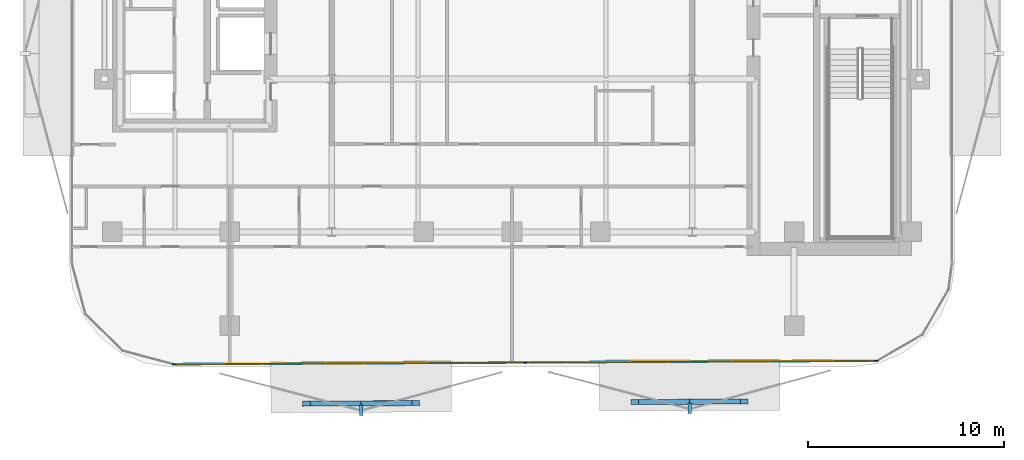
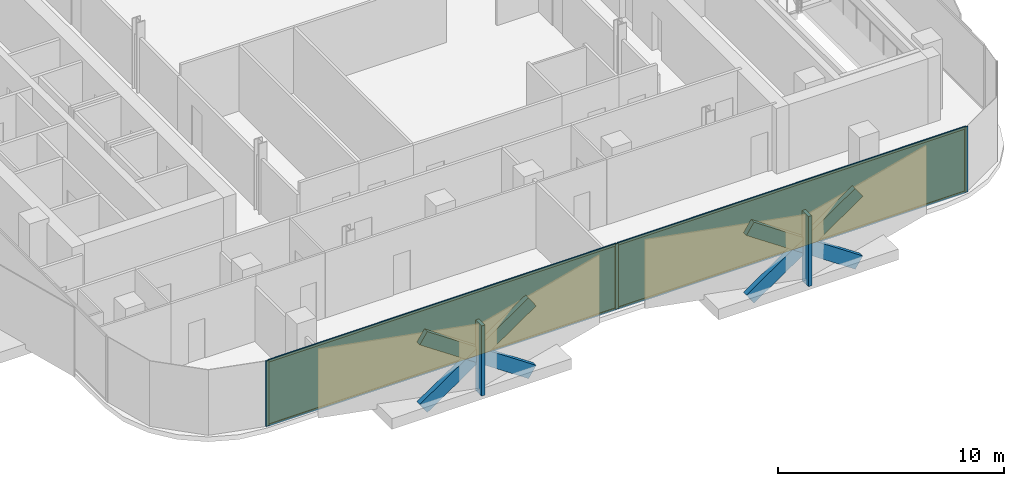
# One storey, part 9 of 17: 13 members, 2 plates, 1 curtain wall.
"""IFC4 building model written with IfcOpenShell, lengths in metres."""

from ifc_helpers import new_model, si_unit, direction, frame, frame_2d, origin, origin_2d, place, context, subcontext, project, spatial, rectangle, extrude, material, layer, layer_set, material_profile, profile_set, type_object, element, aggregate, save


model = new_model("IFC4")

# Units and contexts
model_context = context("Model", 3, precision=1e-05, world=origin(), true_north=direction((0.0, 1.0)))
body_context = subcontext(model_context, "Body", "Model", "MODEL_VIEW")
ifc_project = project(units=[si_unit("LENGTHUNIT", "METRE"), si_unit("AREAUNIT", "SQUARE_METRE"), si_unit("VOLUMEUNIT", "CUBIC_METRE"), si_unit("PLANEANGLEUNIT", "RADIAN"), si_unit("MASSUNIT", "GRAM", prefix="KILO")], contexts=[model_context])

# Member
ifc_material_1 = material(Name="Anodised Bronze Aluminium 6063-T6", Category="aluminium")
ifc_material_profile_1 = material_profile(ifc_material_1, rectangle(XDim=0.260009765625, YDim=0.699951171875, at=origin_2d()))
ifc_profile_set_1 = profile_set([ifc_material_profile_1], Name="Anodised Bronze Aluminium 6063-T6")
member_type_1 = type_object("IfcMemberType", Name="Bronze Diamond Solar-Screen Lattice Rib BDL-700", PredefinedType="MULLION", material=ifc_profile_set_1)
site_placement = place(None, origin())
building_placement = place(site_placement, origin())
storey_placement = place(building_placement, frame((0.0, 0.0, 165.0)))
member_1_placement = place(storey_placement, frame((11.857666015625, -27.25634765625, -0.1298828125), z_axis=(-0.826905498042, -0.004082681054, 0.562326087802), x_axis=(-0.007685180763, 0.999962303222, -0.004041055761)))
member_1 = element("IfcMember", 1, at=member_1_placement, type_object=member_type_1, Name="L37 Bronze Diamond Solar Screen Lattice Rib 233A", PredefinedType="MULLION", context=body_context, shape_type="SweptSolid", body=[
    extrude(rectangle(XDim=0.260009765625, YDim=0.699951171875, at=origin_2d()), origin(), (0.0, 0.0, 1.0), 6.75732421875),
])

member_2_placement = place(storey_placement, frame((6.27001953125, -27.283935546875, -0.1298828125), z_axis=(0.826905498042, 0.004082681054, 0.562326087802), x_axis=(0.007685180763, -0.999962303222, -0.004041055761)))
member_2 = element("IfcMember", 2, at=member_2_placement, type_object=member_type_1, Name="L37 Bronze Diamond Solar Screen Lattice Rib 233B", PredefinedType="MULLION", context=body_context, shape_type="SweptSolid", body=[
    extrude(rectangle(XDim=0.260009765625, YDim=0.699951171875, at=origin_2d()), origin(), (0.0, 0.0, 1.0), 6.75732421875),
])

member_3_placement = place(storey_placement, frame((-4.905517578125, -27.339111328125, -0.1298828125), z_axis=(-0.826905619477, -0.004046551727, 0.562326170382), x_axis=(-0.007641490936, 0.999962638045, -0.004041055487)))
member_3 = element("IfcMember", 3, at=member_3_placement, type_object=member_type_1, Name="L37 Bronze Diamond Solar Screen Lattice Rib 234A", PredefinedType="MULLION", context=body_context, shape_type="SweptSolid", body=[
    extrude(rectangle(XDim=0.260009765625, YDim=0.699951171875, at=origin_2d()), origin(), (0.0, 0.0, 1.0), 6.75732421875),
])

member_4_placement = place(storey_placement, frame((-10.4931640625, -27.366455078125, -0.1298828125), z_axis=(0.826905619477, 0.004046551727, 0.562326170382), x_axis=(0.007641490936, -0.999962638045, -0.004041055487)))
member_4 = element("IfcMember", 4, at=member_4_placement, type_object=member_type_1, Name="L37 Bronze Diamond Solar Screen Lattice Rib 234B", PredefinedType="MULLION", context=body_context, shape_type="SweptSolid", body=[
    extrude(rectangle(XDim=0.260009765625, YDim=0.699951171875, at=origin_2d()), origin(), (0.0, 0.0, 1.0), 6.75732421875),
])

ifc_material_2 = material(Name="Anodised Bronze Aluminium 6063-T6", Category="aluminium")
ifc_material_profile_2 = material_profile(ifc_material_2, rectangle(XDim=0.179931640625, YDim=0.5400390625, at=origin_2d()))
ifc_profile_set_2 = profile_set([ifc_material_profile_2], Name="Anodised Bronze Aluminium 6063-T6")
member_type_2 = type_object("IfcMemberType", Name="Bronze Solar-Screen Vertical Fold Fin BSF-540", PredefinedType="MULLION", material=ifc_profile_set_2)
member_5_placement = place(storey_placement, frame((9.0654296875, -27.610107421875, -0.1298828125), z_axis=(0.0, 0.0, 1.0), x_axis=(-0.999988059021, -0.004886902454, 0.0)))
member_5 = element("IfcMember", 5, at=member_5_placement, type_object=member_type_2, Name="L37 Bronze Solar Screen Vertical Fin 233", PredefinedType="MULLION", context=body_context, shape_type="SweptSolid", body=[
    extrude(rectangle(XDim=0.179931640625, YDim=0.5400390625, at=origin_2d()), origin(), (0.0, 0.0, 1.0), 3.7998046875),
])

member_6_placement = place(storey_placement, frame((-7.697509765625, -27.69287109375, -0.1298828125), z_axis=(0.0, 0.0, 1.0), x_axis=(-0.999988059021, -0.004886902454, 0.0)))
member_6 = element("IfcMember", 6, at=member_6_placement, type_object=member_type_2, Name="L37 Bronze Solar Screen Vertical Fin 234", PredefinedType="MULLION", context=body_context, shape_type="SweptSolid", body=[
    extrude(rectangle(XDim=0.179931640625, YDim=0.5400390625, at=origin_2d()), origin(), (0.0, 0.0, 1.0), 3.7998046875),
])

ifc_material_3 = material(Name="Anodised Bronze Aluminium 6063-T6", Category="aluminium")
ifc_material_profile_3 = material_profile(ifc_material_3, rectangle(XDim=0.06005859375, YDim=0.1650390625, at=origin_2d()))
ifc_profile_set_3 = profile_set([ifc_material_profile_3], Name="Anodised Bronze Aluminium 6063-T6")
member_type_3 = type_object("IfcMemberType", Name="CW-Z3 Mullion 60x165", PredefinedType="MULLION", material=ifc_profile_set_3)
member_7_placement = place(storey_placement, frame((18.605224609375, -25.18310546875, 0.0), z_axis=(0.0, 0.0, 1.0), x_axis=(0.004926734175, -0.999987863572, 0.0)))
member_7 = element("IfcMember", 7, at=member_7_placement, type_object=member_type_3, Name="CW-Z3 mullion 1", PredefinedType="MULLION", context=body_context, shape_type="SweptSolid", body=[
    extrude(rectangle(XDim=0.06005859375, YDim=0.1650390625, at=origin_2d()), origin(), (0.0, 0.0, 1.0), 3.5400390625),
])

member_8_placement = place(storey_placement, frame((0.672119140625, -25.271484375, 0.0), z_axis=(0.0, 0.0, 1.0), x_axis=(0.004926734175, -0.999987863572, 0.0)))
member_8 = element("IfcMember", 8, at=member_8_placement, type_object=member_type_3, Name="CW-Z3 mullion 2", PredefinedType="MULLION", context=body_context, shape_type="SweptSolid", body=[
    extrude(rectangle(XDim=0.06005859375, YDim=0.1650390625, at=origin_2d()), origin(), (0.0, 0.0, 1.0), 3.5400390625),
])

member_9_placement = place(storey_placement, frame((-17.2607421875, -25.35986328125, 0.0), z_axis=(0.0, 0.0, 1.0), x_axis=(0.004926734175, -0.999987863572, 0.0)))
member_9 = element("IfcMember", 9, at=member_9_placement, type_object=member_type_3, Name="CW-Z3 mullion 3", PredefinedType="MULLION", context=body_context, shape_type="SweptSolid", body=[
    extrude(rectangle(XDim=0.06005859375, YDim=0.1650390625, at=origin_2d()), origin(), (0.0, 0.0, 1.0), 3.5400390625),
])

ifc_material_4 = material(Name="Anodised Bronze Aluminium 6063-T6", Category="aluminium")
ifc_material_profile_4 = material_profile(ifc_material_4, rectangle(XDim=0.06005859375, YDim=0.1298828125, at=origin_2d()))
ifc_profile_set_4 = profile_set([ifc_material_profile_4], Name="Anodised Bronze Aluminium 6063-T6")
member_type_4 = type_object("IfcMemberType", Name="CW-Z3 Transom 60x130", PredefinedType="USERDEFINED", material=ifc_profile_set_4)
member_10_placement = place(storey_placement, frame((18.5751953125, -25.183349609375, 0.030029296875), z_axis=(-0.999987909339, -0.0049174359, 0.0), x_axis=(0.0049174359, -0.999987909339, 0.0)))
member_10 = element("IfcMember", 10, at=member_10_placement, type_object=member_type_4, Name="CW-Z3 transom 1.1", ObjectType="TRANSOM", PredefinedType="USERDEFINED", context=body_context, shape_type="SweptSolid", body=[
    extrude(rectangle(XDim=0.06005859375, YDim=0.1298828125, at=origin_2d()), origin(), (0.0, 0.0, 1.0), 17.873291015625),
])

member_11_placement = place(storey_placement, frame((18.5751953125, -25.183349609375, 3.510009765625), z_axis=(-0.999987909339, -0.0049174359, 0.0), x_axis=(0.0049174359, -0.999987909339, 0.0)))
member_11 = element("IfcMember", 11, at=member_11_placement, type_object=member_type_4, Name="CW-Z3 transom 1.2", ObjectType="TRANSOM", PredefinedType="USERDEFINED", context=body_context, shape_type="SweptSolid", body=[
    extrude(rectangle(XDim=0.06005859375, YDim=0.1298828125, at=origin_2d()), origin(), (0.0, 0.0, 1.0), 17.873291015625),
])

member_12_placement = place(storey_placement, frame((0.64208984375, -25.271728515625, 0.030029296875), z_axis=(-0.999987909009, -0.00491750307, 0.0), x_axis=(0.00491750307, -0.999987909009, 0.0)))
member_12 = element("IfcMember", 12, at=member_12_placement, type_object=member_type_4, Name="CW-Z3 transom 2.1", ObjectType="TRANSOM", PredefinedType="USERDEFINED", context=body_context, shape_type="SweptSolid", body=[
    extrude(rectangle(XDim=0.06005859375, YDim=0.1298828125, at=origin_2d()), origin(), (0.0, 0.0, 1.0), 17.873046875),
])

member_13_placement = place(storey_placement, frame((0.64208984375, -25.271728515625, 3.510009765625), z_axis=(-0.999987909009, -0.00491750307, 0.0), x_axis=(0.00491750307, -0.999987909009, 0.0)))
member_13 = element("IfcMember", 13, at=member_13_placement, type_object=member_type_4, Name="CW-Z3 transom 2.2", ObjectType="TRANSOM", PredefinedType="USERDEFINED", context=body_context, shape_type="SweptSolid", body=[
    extrude(rectangle(XDim=0.06005859375, YDim=0.1298828125, at=origin_2d()), origin(), (0.0, 0.0, 1.0), 17.873046875),
])

# Plate
ifc_material_5 = material(Name="Low-E Solar Control Laminated Glass", Category="glass")
ifc_layer_1 = layer(ifc_material_5, 0.030029296875, Name="Low-E Solar Control Laminated Glass")
ifc_layer_set_1 = layer_set([ifc_layer_1], Name="Low-E Solar Control Laminated Glass")
plate_type = type_object("IfcPlateType", Name="CW-Z3 Low-E Double Glazed Panel 30mm", PredefinedType="CURTAIN_PANEL", material=ifc_layer_set_1)
plate_1_placement = place(storey_placement, frame((9.638671875, -25.227294921875, 0.06005859375), z_axis=(0.0, 0.0, 1.0), x_axis=(-0.999987863572, -0.004926734175, 0.0)))
plate_1 = element("IfcPlate", 14, at=plate_1_placement, type_object=plate_type, Name="CW-Z3 panel 1.1", PredefinedType="CURTAIN_PANEL", context=body_context, shape_type="SweptSolid", body=[
    extrude(rectangle(XDim=17.873291015625, YDim=0.030029296875, at=origin_2d()), origin(), (0.0, 0.0, 1.0), 3.419921875),
])

plate_2_placement = place(storey_placement, frame((-8.294189453125, -25.315673828125, 0.06005859375), z_axis=(0.0, 0.0, 1.0), x_axis=(-0.999987863572, -0.004926734175, 0.0)))
plate_2 = element("IfcPlate", 15, at=plate_2_placement, type_object=plate_type, Name="CW-Z3 panel 2.1", PredefinedType="CURTAIN_PANEL", context=body_context, shape_type="SweptSolid", body=[
    extrude(rectangle(XDim=17.873291015625, YDim=0.030029296875, at=origin_2d()), origin(), (0.0, 0.0, 1.0), 3.419921875),
])

# Site, building, storey
site = spatial("IfcSite", under=ifc_project, at=site_placement, CompositionType="ELEMENT")
building = spatial("IfcBuilding", under=site, at=building_placement, Name="Khairoan Windgate Tower", CompositionType="ELEMENT")
storey = spatial("IfcBuildingStorey", under=building, at=storey_placement, Name="L37", CompositionType="ELEMENT", Elevation=165.0)

# Curtain wall
ifc_material_6 = material(Name="Anodised Bronze Aluminium 6063-T6", Category="aluminium")
ifc_layer_2 = layer(ifc_material_6, 0.1650390625, Name="Anodised Bronze Aluminium 6063-T6")
ifc_layer_set_2 = layer_set([ifc_layer_2], Name="Anodised Bronze Aluminium 6063-T6")
curtain_wall_type = type_object("IfcCurtainWallType", Name="Luxury Hotel Acoustic Curtain Wall CW-Z3", PredefinedType="NOTDEFINED", material=ifc_layer_set_2)
curtain_wall_placement = place(storey_placement, frame((18.63525390625, -25.18310546875, 0.0), z_axis=(0.0, 0.0, 1.0), x_axis=(-0.999987863321, -0.004926785053, 0.0)))
curtain_wall = element("IfcCurtainWall", 16, at=curtain_wall_placement, inside=storey, type_object=curtain_wall_type, Name="L37 Unitised Curtain Wall 1", PredefinedType="NOTDEFINED", context=body_context, shape_type="SweptSolid", body=[
    extrude(rectangle(XDim=35.926513671875, YDim=0.010009765625, at=frame_2d((17.96337890625, 0.0))), origin(), (0.0, 0.0, 1.0), 3.5400390625),
])

aggregate(curtain_wall, [member_7, member_8, member_9, member_10, member_11, plate_1, member_12, member_13, plate_2, member_1, member_2, member_5, member_3, member_4, member_6])

save(model, "model.ifc")
